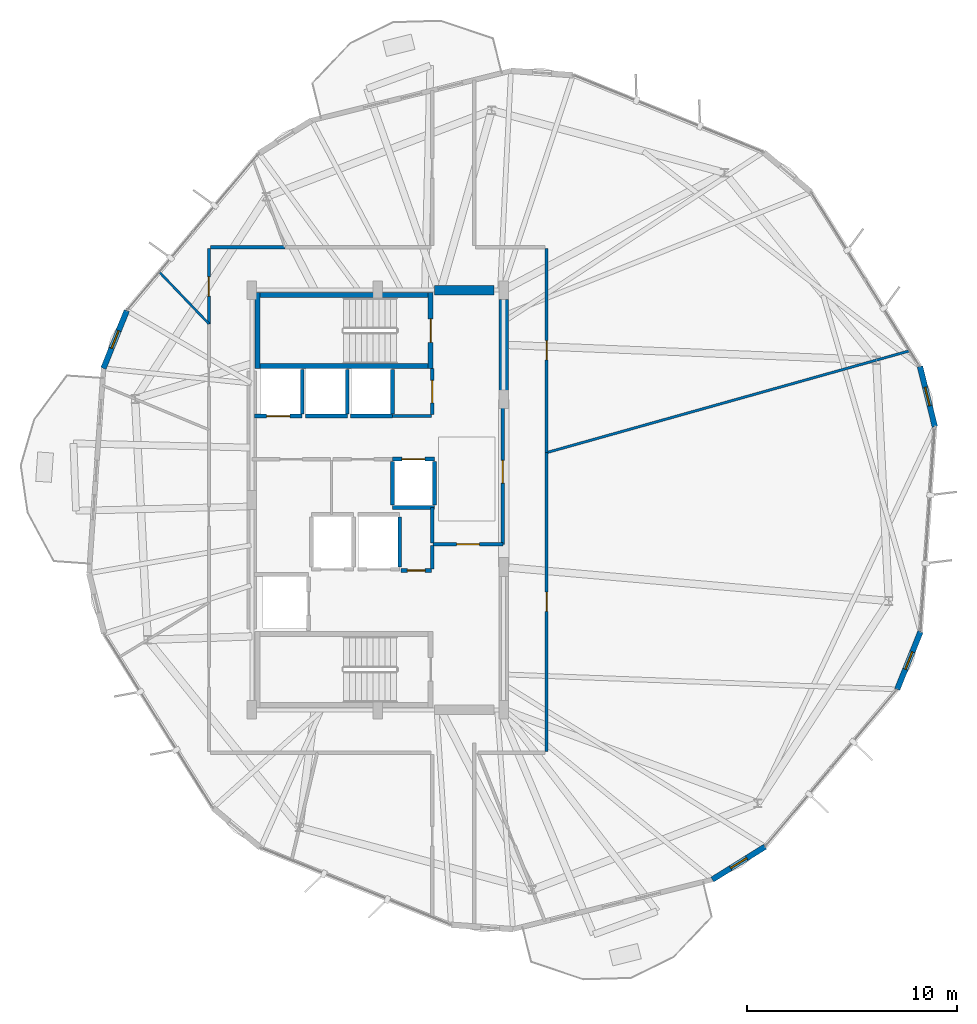
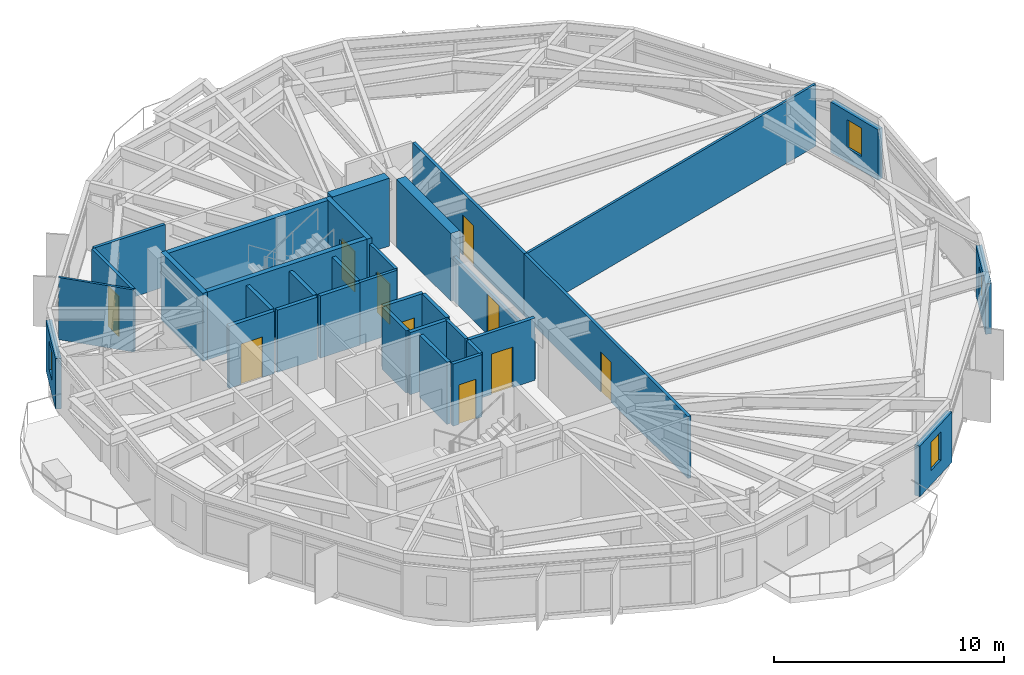
# One storey, part 19 of 23: 34 walls, 10 doors, 4 windows, 14 openings.
"""IFC4 building model written with IfcOpenShell, lengths in metres."""

from ifc_helpers import new_model, si_unit, direction, frame, frame_2d, origin, place, context, subcontext, project, spatial, rectangle, extrude, material, layer, layer_set, type_object, element, fill, save


model = new_model("IFC4")

# Units and contexts
model_context = context("Model", 3, precision=1e-05, world=origin(), true_north=direction((0.0, 1.0)))
body_context = subcontext(model_context, "Body", "Model", "MODEL_VIEW")
ifc_project = project(units=[si_unit("LENGTHUNIT", "METRE"), si_unit("AREAUNIT", "SQUARE_METRE"), si_unit("VOLUMEUNIT", "CUBIC_METRE"), si_unit("PLANEANGLEUNIT", "RADIAN"), si_unit("MASSUNIT", "GRAM", prefix="KILO")], contexts=[model_context])

# Site, building, storey
site_placement = place(None, origin())
site = spatial("IfcSite", under=ifc_project, at=site_placement, CompositionType="ELEMENT")
building_placement = place(site_placement, origin())
building = spatial("IfcBuilding", under=site, at=building_placement, Name="Soratama Intermodal Tower", CompositionType="ELEMENT")
storey_placement = place(building_placement, frame((0.0, 0.0, 215.800048828125)))
storey = spatial("IfcBuildingStorey", under=building, at=storey_placement, Name="L54", CompositionType="ELEMENT", Elevation=215.800048828125)

# Wall, opening, window
ifc_material_1 = material(Name="Concrete f'c 42 MPa", Category="concrete")
ifc_layer_1 = layer(ifc_material_1, 0.27001953125)
ifc_layer_set_1 = layer_set([ifc_layer_1], Name="Concrete f'c 42 MPa")
wall_type_1 = type_object("IfcWallType", Name="EW-CRN-270", PredefinedType="SOLIDWALL", material=ifc_layer_set_1)
wall_1_placement = place(storey_placement, frame((26.638427734375, 34.02587890625, 0.0), z_axis=(0.0, 0.0, 1.0), x_axis=(-0.374963762446, -0.927039468875, 0.0)))
wall_1 = element("IfcWall", 1, at=wall_1_placement, inside=storey, type_object=wall_type_1, Name="L54 Corner Closure Wall 03", PredefinedType="SOLIDWALL", context=body_context, shape_type="SweptSolid", body=[
    extrude(rectangle(XDim=2.966552734375, YDim=0.27001953125, at=frame_2d((1.4833984375, 0.0))), origin(), (0.0, 0.0, 1.0), 2.678955078125),
])
opening_1_placement = place(wall_1_placement, frame((1.033203125, 0.0, 0.75)))
opening_1 = element("IfcOpeningElement", 2, at=opening_1_placement, cuts=wall_1, Name="Opening WN-6", PredefinedType="OPENING", context=body_context, shape_type="SweptSolid", body=[
    extrude(rectangle(XDim=0.89990234375, YDim=1.5, at=frame_2d((0.449951171875, 0.75))), frame((0.0, 0.14501953125, 0.0), z_axis=(0.0, -1.0, 0.0), x_axis=(1.0, 0.0, 0.0)), (0.0, 0.0, 1.0), 0.2900390625),
])
ifc_material_2 = material(Name="Double-glazed aluminium window", Category="aluminium")
window_type = type_object("IfcWindowType", Name="WN-FAC-900", PartitioningType="SINGLE_PANEL", PredefinedType="WINDOW", material=ifc_material_2)
window_1_placement = place(opening_1_placement, origin())
window_1 = element("IfcWindow", 3, at=window_1_placement, inside=storey, type_object=window_type, Name="L54 Corner Window 03", OverallHeight=1.5, OverallWidth=0.89990234375, PartitioningType="SINGLE_PANEL", PredefinedType="WINDOW", context=body_context, shape_type="SweptSolid", body=[
    extrude(rectangle(XDim=0.89990234375, YDim=1.5, at=frame_2d((0.449951171875, 0.75))), frame((0.0, 0.030029296875, 0.0), z_axis=(0.0, -1.0, 0.0), x_axis=(1.0, 0.0, 0.0)), (0.0, 0.0, 1.0), 0.06005859375),
])
fill(opening_1, window_1)

wall_2_placement = place(storey_placement, frame((54.549560546875, 6.905029296875, 0.0), z_axis=(0.0, 0.0, 1.0), x_axis=(0.848215528767, 0.529651221805, 0.0)))
wall_2 = element("IfcWall", 4, at=wall_2_placement, inside=storey, type_object=wall_type_1, Name="L54 Corner Closure Wall 07", PredefinedType="SOLIDWALL", context=body_context, shape_type="SweptSolid", body=[
    extrude(rectangle(XDim=2.966552734375, YDim=0.27001953125, at=frame_2d((1.4833984375, 0.0))), origin(), (0.0, 0.0, 1.0), 2.678955078125),
])
opening_2_placement = place(wall_2_placement, frame((1.033203125, 0.0, 0.75)))
opening_2 = element("IfcOpeningElement", 5, at=opening_2_placement, cuts=wall_2, Name="Opening WN-6", PredefinedType="OPENING", context=body_context, shape_type="SweptSolid", body=[
    extrude(rectangle(XDim=0.89990234375, YDim=1.5, at=frame_2d((0.449951171875, 0.75))), frame((0.0, 0.14501953125, 0.0), z_axis=(0.0, -1.0, 0.0), x_axis=(1.0, 0.0, 0.0)), (0.0, 0.0, 1.0), 0.2900390625),
])
window_2_placement = place(opening_2_placement, origin())
window_2 = element("IfcWindow", 6, at=window_2_placement, inside=storey, type_object=window_type, Name="L54 Corner Window 07", OverallHeight=1.5, OverallWidth=0.89990234375, PartitioningType="SINGLE_PANEL", PredefinedType="WINDOW", context=body_context, shape_type="SweptSolid", body=[
    extrude(rectangle(XDim=0.89990234375, YDim=1.5, at=frame_2d((0.449951171875, 0.75))), frame((0.0, 0.030029296875, 0.0), z_axis=(0.0, -1.0, 0.0), x_axis=(1.0, 0.0, 0.0)), (0.0, 0.0, 1.0), 0.06005859375),
])
fill(opening_2, window_2)

wall_3_placement = place(storey_placement, frame((63.361572265625, 15.97412109375, 0.0), z_axis=(0.0, 0.0, 1.0), x_axis=(0.374963762446, 0.927039468875, 0.0)))
wall_3 = element("IfcWall", 7, at=wall_3_placement, inside=storey, type_object=wall_type_1, Name="L54 Corner Closure Wall 08", PredefinedType="SOLIDWALL", context=body_context, shape_type="SweptSolid", body=[
    extrude(rectangle(XDim=2.966552734375, YDim=0.27001953125, at=frame_2d((1.4833984375, 0.0))), origin(), (0.0, 0.0, 1.0), 2.678955078125),
])
opening_3_placement = place(wall_3_placement, frame((1.033203125, 0.0, 0.75)))
opening_3 = element("IfcOpeningElement", 8, at=opening_3_placement, cuts=wall_3, Name="Opening WN-6", PredefinedType="OPENING", context=body_context, shape_type="SweptSolid", body=[
    extrude(rectangle(XDim=0.89990234375, YDim=1.5, at=frame_2d((0.449951171875, 0.75))), frame((0.0, 0.14501953125, 0.0), z_axis=(0.0, -1.0, 0.0), x_axis=(1.0, 0.0, 0.0)), (0.0, 0.0, 1.0), 0.2900390625),
])
window_3_placement = place(opening_3_placement, origin())
window_3 = element("IfcWindow", 9, at=window_3_placement, inside=storey, type_object=window_type, Name="L54 Corner Window 08", OverallHeight=1.5, OverallWidth=0.89990234375, PartitioningType="SINGLE_PANEL", PredefinedType="WINDOW", context=body_context, shape_type="SweptSolid", body=[
    extrude(rectangle(XDim=0.89990234375, YDim=1.5, at=frame_2d((0.449951171875, 0.75))), frame((0.0, 0.030029296875, 0.0), z_axis=(0.0, -1.0, 0.0), x_axis=(1.0, 0.0, 0.0)), (0.0, 0.0, 1.0), 0.06005859375),
])
fill(opening_3, window_3)

wall_4_placement = place(storey_placement, frame((65.160400390625, 28.490478515625, 0.0), z_axis=(0.0, 0.0, 1.0), x_axis=(-0.241625404989, 0.970369601577, 0.0)))
wall_4 = element("IfcWall", 10, at=wall_4_placement, inside=storey, type_object=wall_type_1, Name="L54 Corner Closure Wall 09", PredefinedType="SOLIDWALL", context=body_context, shape_type="SweptSolid", body=[
    extrude(rectangle(XDim=2.966552734375, YDim=0.27001953125, at=frame_2d((1.4833984375, 0.0))), origin(), (0.0, 0.0, 1.0), 2.678955078125),
])
opening_4_placement = place(wall_4_placement, frame((1.033203125, 0.0, 0.75)))
opening_4 = element("IfcOpeningElement", 11, at=opening_4_placement, cuts=wall_4, Name="Opening WN-6", PredefinedType="OPENING", context=body_context, shape_type="SweptSolid", body=[
    extrude(rectangle(XDim=0.89990234375, YDim=1.5, at=frame_2d((0.449951171875, 0.75))), frame((0.0, 0.14501953125, 0.0), z_axis=(0.0, -1.0, 0.0), x_axis=(1.0, 0.0, 0.0)), (0.0, 0.0, 1.0), 0.2900390625),
])
window_4_placement = place(opening_4_placement, origin())
window_4 = element("IfcWindow", 12, at=window_4_placement, inside=storey, type_object=window_type, Name="L54 Corner Window 09", OverallHeight=1.5, OverallWidth=0.89990234375, PartitioningType="SINGLE_PANEL", PredefinedType="WINDOW", context=body_context, shape_type="SweptSolid", body=[
    extrude(rectangle(XDim=0.89990234375, YDim=1.5, at=frame_2d((0.449951171875, 0.75))), frame((0.0, 0.030029296875, 0.0), z_axis=(0.0, -1.0, 0.0), x_axis=(1.0, 0.0, 0.0)), (0.0, 0.0, 1.0), 0.06005859375),
])
fill(opening_4, window_4)

# Wall, opening, door
ifc_material_3 = material(Name="Fire-rated gypsum stud partition", Category="concrete")
ifc_layer_2 = layer(ifc_material_3, 0.14990234375)
ifc_layer_set_2 = layer_set([ifc_layer_2], Name="Fire-rated gypsum stud partition")
wall_type_2 = type_object("IfcWallType", Name="IW-PART-R150", PredefinedType="PARTITIONING", material=ifc_layer_set_2)
wall_5_placement = place(storey_placement, frame((46.64990234375, 27.258056640625, 0.0), z_axis=(0.0, 0.0, 1.0), x_axis=(0.0, -1.0, 0.0)))
wall_5 = element("IfcWall", 13, at=wall_5_placement, inside=storey, type_object=wall_type_2, Name="L54 Partition W-L54-TP002", PredefinedType="PARTITIONING", context=body_context, shape_type="SweptSolid", body=[
    extrude(rectangle(XDim=14.238037109375, YDim=0.14990234375, at=frame_2d((7.119140625, 0.0))), origin(), (0.0, 0.0, 1.0), 3.300048828125),
])
opening_5_placement = place(wall_5_placement, frame((6.64404296875, 0.0, 0.0)))
opening_5 = element("IfcOpeningElement", 14, at=opening_5_placement, cuts=wall_5, Name="Opening ID-6", PredefinedType="OPENING", context=body_context, shape_type="SweptSolid", body=[
    extrude(rectangle(XDim=0.919921875, YDim=2.1201171875, at=frame_2d((0.4599609375, 1.06005859375))), frame((0.0, 0.0849609375, 0.0), z_axis=(0.0, -1.0, 0.0), x_axis=(1.0, 0.0, 0.0)), (0.0, 0.0, 1.0), 0.169921875),
])
ifc_material_4 = material(Name="Solid hardwood acoustic door", Category="wood")
door_type_1 = type_object("IfcDoorType", Name="DR-ROOM-920", OperationType="NOTDEFINED", PredefinedType="DOOR", material=ifc_material_4)
door_1_placement = place(opening_5_placement, origin())
door_1 = element("IfcDoor", 15, at=door_1_placement, inside=storey, type_object=door_type_1, Name="L54 Door D-L54-TP001", OperationType="SINGLE_SWING_RIGHT", OverallHeight=2.1201171875, OverallWidth=0.919921875, PredefinedType="DOOR", context=body_context, shape_type="SweptSolid", body=[
    extrude(rectangle(XDim=0.919921875, YDim=2.1201171875, at=frame_2d((0.4599609375, 1.06005859375))), frame((0.0, 0.02490234375, 0.0), z_axis=(0.0, -1.0, 0.0), x_axis=(1.0, 0.0, 0.0)), (0.0, 0.0, 1.0), 0.050048828125),
])
fill(opening_5, door_1)

wall_6_placement = place(storey_placement, frame((46.64990234375, 36.97998046875, 0.0), z_axis=(0.0, 0.0, 1.0), x_axis=(0.0, -1.0, 0.0)))
wall_6 = element("IfcWall", 16, at=wall_6_placement, inside=storey, type_object=wall_type_2, Name="L54 Partition W-L54-TP003", PredefinedType="PARTITIONING", context=body_context, shape_type="SweptSolid", body=[
    extrude(rectangle(XDim=9.721923828125, YDim=0.14990234375, at=frame_2d((4.86083984375, 0.0))), origin(), (0.0, 0.0, 1.0), 3.300048828125),
])
opening_6_placement = place(wall_6_placement, frame((4.385986328125, 0.0, 0.0)))
opening_6 = element("IfcOpeningElement", 17, at=opening_6_placement, cuts=wall_6, Name="Opening ID-6", PredefinedType="OPENING", context=body_context, shape_type="SweptSolid", body=[
    extrude(rectangle(XDim=0.919921875, YDim=2.1201171875, at=frame_2d((0.4599609375, 1.06005859375))), frame((0.0, 0.0849609375, 0.0), z_axis=(0.0, -1.0, 0.0), x_axis=(1.0, 0.0, 0.0)), (0.0, 0.0, 1.0), 0.169921875),
])
door_2_placement = place(opening_6_placement, origin())
door_2 = element("IfcDoor", 18, at=door_2_placement, inside=storey, type_object=door_type_1, Name="L54 Door D-L54-TP002", OperationType="SINGLE_SWING_LEFT", OverallHeight=2.1201171875, OverallWidth=0.919921875, PredefinedType="DOOR", context=body_context, shape_type="SweptSolid", body=[
    extrude(rectangle(XDim=0.919921875, YDim=2.1201171875, at=frame_2d((0.4599609375, 1.06005859375))), frame((0.0, 0.02490234375, 0.0), z_axis=(0.0, -1.0, 0.0), x_axis=(1.0, 0.0, 0.0)), (0.0, 0.0, 1.0), 0.050048828125),
])
fill(opening_6, door_2)

wall_7_placement = place(storey_placement, frame((44.56005859375, 29.800048828125, 0.0), z_axis=(0.0, 0.0, 1.0), x_axis=(0.0, -1.0, 0.0)))
wall_7 = element("IfcWall", 19, at=wall_7_placement, inside=storey, type_object=wall_type_2, Name="L54 Partition W-L54-TP011", PredefinedType="PARTITIONING", context=body_context, shape_type="SweptSolid", body=[
    extrude(rectangle(XDim=6.91015625, YDim=0.14990234375, at=frame_2d((3.455078125, 0.0))), origin(), (0.0, 0.0, 1.0), 2.33984375),
])
opening_7_placement = place(wall_7_placement, frame((2.9150390625, 0.0, 0.0)))
opening_7 = element("IfcOpeningElement", 20, at=opening_7_placement, cuts=wall_7, Name="Opening ID-1", PredefinedType="OPENING", context=body_context, shape_type="SweptSolid", body=[
    extrude(rectangle(XDim=1.080078125, YDim=2.14990234375, at=frame_2d((0.5400390625, 1.074951171875))), frame((0.0, 0.0849609375, 0.0), z_axis=(0.0, -1.0, 0.0), x_axis=(1.0, 0.0, 0.0)), (0.0, 0.0, 1.0), 0.169921875),
])
ifc_material_5 = material(Name="Solid hardwood acoustic door", Category="wood")
door_type_2 = type_object("IfcDoorType", Name="DR-LOB-FD60", OperationType="NOTDEFINED", PredefinedType="DOOR", material=ifc_material_5)
door_3_placement = place(opening_7_placement, origin())
door_3 = element("IfcDoor", 21, at=door_3_placement, inside=storey, type_object=door_type_2, Name="L54 Door D-L54-TP007", OperationType="SINGLE_SWING_RIGHT", OverallHeight=2.14990234375, OverallWidth=1.080078125, PredefinedType="DOOR", context=body_context, shape_type="SweptSolid", body=[
    extrude(rectangle(XDim=1.080078125, YDim=2.14990234375, at=frame_2d((0.5400390625, 1.074951171875))), frame((0.0, 0.02490234375, 0.0), z_axis=(0.0, -1.0, 0.0), x_axis=(1.0, 0.0, 0.0)), (0.0, 0.0, 1.0), 0.050048828125),
])
fill(opening_7, door_3)

wall_8_placement = place(storey_placement, frame((30.550048828125, 33.40087890625, 0.0), z_axis=(0.0, 0.0, 1.0), x_axis=(0.0, 1.0, 0.0)))
wall_8 = element("IfcWall", 22, at=wall_8_placement, inside=storey, type_object=wall_type_2, Name="L54 Partition W-L54-TP020", PredefinedType="PARTITIONING", context=body_context, shape_type="SweptSolid", body=[
    extrude(rectangle(XDim=3.5791015625, YDim=0.14990234375, at=frame_2d((1.78955078125, 0.0))), origin(), (0.0, 0.0, 1.0), 3.300048828125),
])
opening_8_placement = place(wall_8_placement, frame((1.31396484375, 0.0, 0.0)))
opening_8 = element("IfcOpeningElement", 23, at=opening_8_placement, cuts=wall_8, Name="Opening ID-6", PredefinedType="OPENING", context=body_context, shape_type="SweptSolid", body=[
    extrude(rectangle(XDim=0.919921875, YDim=2.1201171875, at=frame_2d((0.4599609375, 1.06005859375))), frame((0.0, 0.0849609375, 0.0), z_axis=(0.0, -1.0, 0.0), x_axis=(1.0, 0.0, 0.0)), (0.0, 0.0, 1.0), 0.169921875),
])
door_4_placement = place(opening_8_placement, origin())
door_4 = element("IfcDoor", 24, at=door_4_placement, inside=storey, type_object=door_type_1, Name="L54 Door D-L54-TP010", OperationType="SINGLE_SWING_LEFT", OverallHeight=2.1201171875, OverallWidth=0.919921875, PredefinedType="DOOR", context=body_context, shape_type="SweptSolid", body=[
    extrude(rectangle(XDim=0.919921875, YDim=2.1201171875, at=frame_2d((0.4599609375, 1.06005859375))), frame((0.0, 0.02490234375, 0.0), z_axis=(0.0, -1.0, 0.0), x_axis=(1.0, 0.0, 0.0)), (0.0, 0.0, 1.0), 0.050048828125),
])
fill(opening_8, door_4)

# Wall
wall_9_placement = place(storey_placement, frame((30.6201171875, 37.050048828125, 0.0), z_axis=(0.0, 0.0, 1.0), x_axis=(1.0, 0.0, 0.0)))
element("IfcWall", 25, at=wall_9_placement, inside=storey, type_object=wall_type_2, Name="L54 Partition W-L54-TP021", PredefinedType="PARTITIONING", context=body_context, shape_type="SweptSolid", body=[
    extrude(rectangle(XDim=3.556884765625, YDim=0.14990234375, at=frame_2d((1.7783203125, 0.0))), origin(), (0.0, 0.0, 1.0), 3.300048828125),
])

# Wall, opening, door
wall_10_placement = place(storey_placement, frame((41.199951171875, 29.070068359375, 0.0), z_axis=(0.0, 0.0, 1.0), x_axis=(0.0, 1.0, 0.0)))
wall_10 = element("IfcWall", 26, at=wall_10_placement, inside=storey, type_object=wall_type_2, Name="L54 Partition W-L54-TP028", PredefinedType="PARTITIONING", context=body_context, shape_type="SweptSolid", body=[
    extrude(rectangle(XDim=2.18994140625, YDim=0.14990234375, at=frame_2d((1.094970703125, 0.0))), origin(), (0.0, 0.0, 1.0), 3.300048828125),
])
opening_9_placement = place(wall_10_placement, frame((0.554931640625, 0.0, 0.0)))
opening_9 = element("IfcOpeningElement", 27, at=opening_9_placement, cuts=wall_10, Name="Opening ID-1", PredefinedType="OPENING", context=body_context, shape_type="SweptSolid", body=[
    extrude(rectangle(XDim=1.080078125, YDim=2.14990234375, at=frame_2d((0.5400390625, 1.074951171875))), frame((0.0, 0.0849609375, 0.0), z_axis=(0.0, -1.0, 0.0), x_axis=(1.0, 0.0, 0.0)), (0.0, 0.0, 1.0), 0.169921875),
])
door_5_placement = place(opening_9_placement, origin())
door_5 = element("IfcDoor", 28, at=door_5_placement, inside=storey, type_object=door_type_2, Name="L54 Door D-L54-TP013", OperationType="SINGLE_SWING_RIGHT", OverallHeight=2.14990234375, OverallWidth=1.080078125, PredefinedType="DOOR", context=body_context, shape_type="SweptSolid", body=[
    extrude(rectangle(XDim=1.080078125, YDim=2.14990234375, at=frame_2d((0.5400390625, 1.074951171875))), frame((0.0, 0.02490234375, 0.0), z_axis=(0.0, -1.0, 0.0), x_axis=(1.0, 0.0, 0.0)), (0.0, 0.0, 1.0), 0.050048828125),
])
fill(opening_9, door_5)

# Walls
wall_11_placement = place(storey_placement, frame((39.300048828125, 29.010009765625, 0.0), z_axis=(0.0, 0.0, 1.0), x_axis=(1.0, 0.0, 0.0)))
element("IfcWall", 29, at=wall_11_placement, inside=storey, type_object=wall_type_2, Name="L54 Partition W-L54-TP029", PredefinedType="PARTITIONING", context=body_context, shape_type="SweptSolid", body=[
    extrude(rectangle(XDim=1.85986328125, YDim=0.14990234375, at=frame_2d((0.929931640625, 0.0))), origin(), (0.0, 0.0, 1.0), 3.300048828125),
])
wall_12_placement = place(storey_placement, frame((41.199951171875, 22.9599609375, 0.0), z_axis=(0.0, 0.0, 1.0), x_axis=(0.0, 1.0, 0.0)))
element("IfcWall", 30, at=wall_12_placement, inside=storey, type_object=wall_type_2, Name="L54 Partition W-L54-TP030", PredefinedType="PARTITIONING", context=body_context, shape_type="SweptSolid", body=[
    extrude(rectangle(XDim=1.68994140625, YDim=0.14990234375, at=frame_2d((0.844970703125, 0.0))), origin(), (0.0, 0.0, 1.0), 3.300048828125),
])

# Wall, opening, door
ifc_material_6 = material(Name="Fire-rated gypsum stud partition", Category="concrete")
ifc_layer_3 = layer(ifc_material_6, 0.169921875)
ifc_layer_set_3 = layer_set([ifc_layer_3], Name="Fire-rated gypsum stud partition")
wall_type_3 = type_object("IfcWallType", Name="IW-PART-R170", PredefinedType="PARTITIONING", material=ifc_layer_set_3)
wall_13_placement = place(storey_placement, frame((41.239990234375, 22.889892578125, 0.0), z_axis=(0.0, 0.0, 1.0), x_axis=(1.0, 0.0, 0.0)))
wall_13 = element("IfcWall", 31, at=wall_13_placement, inside=storey, type_object=wall_type_3, Name="L54 Partition W-L54-TP023", PredefinedType="PARTITIONING", context=body_context, shape_type="SweptSolid", body=[
    extrude(rectangle(XDim=3.320068359375, YDim=0.169921875, at=frame_2d((1.66015625, 0.0))), origin(), (0.0, 0.0, 1.0), 3.300048828125),
])
opening_10_placement = place(wall_13_placement, frame((1.1201171875, 0.0, 0.0)))
opening_10 = element("IfcOpeningElement", 32, at=opening_10_placement, cuts=wall_13, Name="Opening ID-0", PredefinedType="OPENING", context=body_context, shape_type="SweptSolid", body=[
    extrude(rectangle(XDim=1.080078125, YDim=2.14990234375, at=frame_2d((0.5400390625, 1.074951171875))), frame((0.0, 0.094970703125, 0.0), z_axis=(0.0, -1.0, 0.0), x_axis=(1.0, 0.0, 0.0)), (0.0, 0.0, 1.0), 0.18994140625),
])
ifc_material_7 = material(Name="Solid hardwood acoustic door", Category="wood")
door_type_3 = type_object("IfcDoorType", Name="DR-LOB-FD90", OperationType="NOTDEFINED", PredefinedType="DOOR", material=ifc_material_7)
door_6_placement = place(opening_10_placement, origin())
door_6 = element("IfcDoor", 33, at=door_6_placement, inside=storey, type_object=door_type_3, Name="L54 Door D-L54-TP011", OperationType="SINGLE_SWING_RIGHT", OverallHeight=2.14990234375, OverallWidth=1.080078125, PredefinedType="DOOR", context=body_context, shape_type="SweptSolid", body=[
    extrude(rectangle(XDim=1.080078125, YDim=2.14990234375, at=frame_2d((0.5400390625, 1.074951171875))), frame((0.0, 0.02490234375, 0.0), z_axis=(0.0, -1.0, 0.0), x_axis=(1.0, 0.0, 0.0)), (0.0, 0.0, 1.0), 0.050048828125),
])
fill(opening_10, door_6)

wall_14_placement = place(storey_placement, frame((39.719970703125, 21.639892578125, 0.0), z_axis=(0.0, 0.0, 1.0), x_axis=(1.0, 0.0, 0.0)))
wall_14 = element("IfcWall", 34, at=wall_14_placement, inside=storey, type_object=wall_type_3, Name="L54 Partition W-L54-TP031", PredefinedType="PARTITIONING", context=body_context, shape_type="SweptSolid", body=[
    extrude(rectangle(XDim=1.43994140625, YDim=0.169921875, at=frame_2d((0.719970703125, 0.0))), origin(), (0.0, 0.0, 1.0), 3.300048828125),
])
opening_11_placement = place(wall_14_placement, frame((0.294921875, 0.0, 0.0)))
opening_11 = element("IfcOpeningElement", 35, at=opening_11_placement, cuts=wall_14, Name="Opening ID-4", PredefinedType="OPENING", context=body_context, shape_type="SweptSolid", body=[
    extrude(rectangle(XDim=0.85009765625, YDim=2.10009765625, at=frame_2d((0.425048828125, 1.050048828125))), frame((0.0, 0.094970703125, 0.0), z_axis=(0.0, -1.0, 0.0), x_axis=(1.0, 0.0, 0.0)), (0.0, 0.0, 1.0), 0.18994140625),
])
ifc_material_8 = material(Name="Solid hardwood acoustic door", Category="wood")
door_type_4 = type_object("IfcDoorType", Name="DR-BATH-850", OperationType="NOTDEFINED", PredefinedType="DOOR", material=ifc_material_8)
door_7_placement = place(opening_11_placement, origin())
door_7 = element("IfcDoor", 36, at=door_7_placement, inside=storey, type_object=door_type_4, Name="L54 Door D-L54-TP014", OperationType="SINGLE_SWING_LEFT", OverallHeight=2.10009765625, OverallWidth=0.85009765625, PredefinedType="DOOR", context=body_context, shape_type="SweptSolid", body=[
    extrude(rectangle(XDim=0.85009765625, YDim=2.10009765625, at=frame_2d((0.425048828125, 1.050048828125))), frame((0.0, 0.02490234375, 0.0), z_axis=(0.0, -1.0, 0.0), x_axis=(1.0, 0.0, 0.0)), (0.0, 0.0, 1.0), 0.050048828125),
])
fill(opening_11, door_7)

# Walls
wall_15_placement = place(storey_placement, frame((41.199951171875, 21.699951171875, 0.0), z_axis=(0.0, 0.0, 1.0), x_axis=(0.0, 1.0, 0.0)))
element("IfcWall", 37, at=wall_15_placement, inside=storey, type_object=wall_type_3, Name="L54 Partition W-L54-TP032", PredefinedType="PARTITIONING", context=body_context, shape_type="SweptSolid", body=[
    extrude(rectangle(XDim=1.1201171875, YDim=0.169921875, at=frame_2d((0.56005859375, 0.0))), origin(), (0.0, 0.0, 1.0), 3.300048828125),
])
ifc_material_9 = material(Name="Fire-rated gypsum stud partition", Category="concrete")
ifc_layer_4 = layer(ifc_material_9, 0.110107421875)
ifc_layer_set_4 = layer_set([ifc_layer_4], Name="Fire-rated gypsum stud partition")
wall_type_4 = type_object("IfcWallType", Name="IW-PART-S110", PredefinedType="PARTITIONING", material=ifc_layer_set_4)
wall_16_placement = place(storey_placement, frame((30.550048828125, 33.40087890625, 0.0), z_axis=(0.0, 0.0, 1.0), x_axis=(-0.691726910598, 0.722159179928, 0.0)))
element("IfcWall", 38, at=wall_16_placement, inside=storey, type_object=wall_type_4, Name="L54 Partition W-L54-TP022", PredefinedType="PARTITIONING", context=body_context, shape_type="SweptSolid", body=[
    extrude(rectangle(XDim=3.41748046875, YDim=0.110107421875, at=frame_2d((1.708740234375, 0.0))), origin(), (0.0, 0.0, 1.0), 3.300048828125),
])
ifc_material_10 = material(Name="Fire-rated gypsum stud partition", Category="concrete")
ifc_layer_5 = layer(ifc_material_10, 0.1201171875)
ifc_layer_set_5 = layer_set([ifc_layer_5], Name="Fire-rated gypsum stud partition")
wall_type_5 = type_object("IfcWallType", Name="IW-PART-S120", PredefinedType="PARTITIONING", material=ifc_layer_set_5)
wall_17_placement = place(storey_placement, frame((63.97607421875, 32.117919921875, 0.0), z_axis=(0.0, 0.0, 1.0), x_axis=(-0.962840767266, -0.270069725978, 0.0)))
element("IfcWall", 39, at=wall_17_placement, inside=storey, type_object=wall_type_5, Name="L54 Partition W-L54-TP001", PredefinedType="PARTITIONING", context=body_context, shape_type="SweptSolid", body=[
    extrude(rectangle(XDim=17.994873046875, YDim=0.1201171875, at=frame_2d((8.99755859375, 0.0))), origin(), (0.0, 0.0, 1.0), 3.300048828125),
])
ifc_material_11 = material(Name="Concrete f'c 42 MPa", Category="concrete")
ifc_layer_6 = layer(ifc_material_11, 0.18505859375)
ifc_layer_set_6 = layer_set([ifc_layer_6], Name="Concrete f'c 42 MPa")
wall_type_6 = type_object("IfcWallType", Name="IW-SHAFT-185", PredefinedType="SOLIDWALL", material=ifc_layer_set_6)
wall_18_placement = place(storey_placement, frame((39.64990234375, 21.81005859375, 0.0), z_axis=(0.0, 0.0, 1.0), x_axis=(0.0, 1.0, 0.0)))
element("IfcWall", 40, at=wall_18_placement, inside=storey, type_object=wall_type_6, Name="L54 FFL-2 Hoistway Wall E", PredefinedType="SOLIDWALL", context=body_context, shape_type="SweptSolid", body=[
    extrude(rectangle(XDim=2.3798828125, YDim=0.18505859375, at=frame_2d((1.18994140625, 0.0))), origin(), (0.0, 0.0, 1.0), 3.300048828125),
])
wall_19_placement = place(storey_placement, frame((39.300048828125, 24.64990234375, 0.0), z_axis=(0.0, 0.0, 1.0), x_axis=(1.0, 0.0, 0.0)))
element("IfcWall", 41, at=wall_19_placement, inside=storey, type_object=wall_type_6, Name="L54 PL-M1 Hoistway Wall S", PredefinedType="SOLIDWALL", context=body_context, shape_type="SweptSolid", body=[
    extrude(rectangle(XDim=2.0, YDim=0.18505859375, at=frame_2d((1.0, 0.0))), origin(), (0.0, 0.0, 1.0), 3.300048828125),
])

# Wall, opening, door
wall_20_placement = place(storey_placement, frame((39.300048828125, 26.949951171875, 0.0), z_axis=(0.0, 0.0, 1.0), x_axis=(1.0, 0.0, 0.0)))
wall_20 = element("IfcWall", 42, at=wall_20_placement, inside=storey, type_object=wall_type_6, Name="L54 PL-M1 Hoistway Wall N", PredefinedType="SOLIDWALL", context=body_context, shape_type="SweptSolid", body=[
    extrude(rectangle(XDim=2.0, YDim=0.18505859375, at=frame_2d((1.0, 0.0))), origin(), (0.0, 0.0, 1.0), 3.300048828125),
])
opening_12_placement = place(wall_20_placement, frame((0.449951171875, 0.0, 0.0)))
opening_12 = element("IfcOpeningElement", 43, at=opening_12_placement, cuts=wall_20, Name="Opening LD-1", PredefinedType="OPENING", context=body_context, shape_type="SweptSolid", body=[
    extrude(rectangle(XDim=1.10009765625, YDim=2.14990234375, at=frame_2d((0.550048828125, 1.074951171875))), frame((0.0, 0.1025390625, 0.0), z_axis=(0.0, -1.0, 0.0), x_axis=(1.0, 0.0, 0.0)), (0.0, 0.0, 1.0), 0.205078125),
])
ifc_material_12 = material(Name="Steel fire door", Category="steel")
door_type_5 = type_object("IfcDoorType", Name="DR-LIFT-SLIDE", OperationType="NOTDEFINED", PredefinedType="DOOR", material=ifc_material_12)
door_8_placement = place(opening_12_placement, origin())
door_8 = element("IfcDoor", 44, at=door_8_placement, inside=storey, type_object=door_type_5, Name="L54 PL-M1 Sliding Landing Door", OperationType="SLIDING_TO_LEFT", OverallHeight=2.14990234375, OverallWidth=1.10009765625, PredefinedType="DOOR", context=body_context, shape_type="SweptSolid", body=[
    extrude(rectangle(XDim=1.10009765625, YDim=2.14990234375, at=frame_2d((0.550048828125, 1.074951171875))), frame((0.0, 0.02490234375, 0.0), z_axis=(0.0, -1.0, 0.0), x_axis=(1.0, 0.0, 0.0)), (0.0, 0.0, 1.0), 0.050048828125),
])
fill(opening_12, door_8)

# Walls
for number, where, z_axis, x_axis, name in (
    (45, (39.300048828125, 24.760009765625, 0.0), (0.0, 0.0, 1.0), (0.0, 1.0, 0.0), "L54 PL-M1 Hoistway Wall W"),
    (46, (41.300048828125, 24.760009765625, 0.0), (0.0, 0.0, 1.0), (0.0, 1.0, 0.0), "L54 PL-M1 Hoistway Wall E"),
):
    element("IfcWall", number, at=place(storey_placement, frame(where, z_axis=z_axis, x_axis=x_axis)), inside=storey, type_object=wall_type_6, Name=name, PredefinedType="SOLIDWALL", context=body_context, shape_type="SweptSolid", body=[
        extrude(rectangle(XDim=2.080078125, YDim=0.18505859375, at=frame_2d((1.0400390625, 0.0))), origin(), (0.0, 0.0, 1.0), 3.300048828125),
    ])

# Wall, opening, door
wall_21_placement = place(storey_placement, frame((32.719970703125, 29.0, 0.0), z_axis=(0.0, 0.0, 1.0), x_axis=(1.0, 0.0, 0.0)))
wall_21 = element("IfcWall", 47, at=wall_21_placement, inside=storey, type_object=wall_type_6, Name="L54 PL-M2 Hoistway Wall S", PredefinedType="SOLIDWALL", context=body_context, shape_type="SweptSolid", body=[
    extrude(rectangle(XDim=2.280029296875, YDim=0.18505859375, at=frame_2d((1.14013671875, 0.0))), origin(), (0.0, 0.0, 1.0), 3.300048828125),
])
opening_13_placement = place(wall_21_placement, frame((0.590087890625, 0.0, 0.0)))
opening_13 = element("IfcOpeningElement", 48, at=opening_13_placement, cuts=wall_21, Name="Opening LD-1", PredefinedType="OPENING", context=body_context, shape_type="SweptSolid", body=[
    extrude(rectangle(XDim=1.10009765625, YDim=2.14990234375, at=frame_2d((0.550048828125, 1.074951171875))), frame((0.0, 0.1025390625, 0.0), z_axis=(0.0, -1.0, 0.0), x_axis=(1.0, 0.0, 0.0)), (0.0, 0.0, 1.0), 0.205078125),
])
door_9_placement = place(opening_13_placement, origin())
door_9 = element("IfcDoor", 49, at=door_9_placement, inside=storey, type_object=door_type_5, Name="L54 PL-M2 Sliding Landing Door", OperationType="SLIDING_TO_LEFT", OverallHeight=2.14990234375, OverallWidth=1.10009765625, PredefinedType="DOOR", context=body_context, shape_type="SweptSolid", body=[
    extrude(rectangle(XDim=1.10009765625, YDim=2.14990234375, at=frame_2d((0.550048828125, 1.074951171875))), frame((0.0, 0.02490234375, 0.0), z_axis=(0.0, -1.0, 0.0), x_axis=(1.0, 0.0, 0.0)), (0.0, 0.0, 1.0), 0.050048828125),
])
fill(opening_13, door_9)

# Walls
wall_22_placement = place(storey_placement, frame((35.0, 29.110107421875, 0.0), z_axis=(0.0, 0.0, 1.0), x_axis=(0.0, 1.0, 0.0)))
element("IfcWall", 50, at=wall_22_placement, inside=storey, type_object=wall_type_6, Name="L54 PL-M2 Hoistway Wall E", PredefinedType="SOLIDWALL", context=body_context, shape_type="SweptSolid", body=[
    extrude(rectangle(XDim=2.099853515625, YDim=0.18505859375, at=frame_2d((1.0498046875, 0.0))), origin(), (0.0, 0.0, 1.0), 3.300048828125),
])
wall_23_placement = place(storey_placement, frame((35.14990234375, 29.0, 0.0), z_axis=(0.0, 0.0, 1.0), x_axis=(1.0, 0.0, 0.0)))
element("IfcWall", 51, at=wall_23_placement, inside=storey, type_object=wall_type_6, Name="L54 PL-H1 Hoistway Wall S", PredefinedType="SOLIDWALL", context=body_context, shape_type="SweptSolid", body=[
    extrude(rectangle(XDim=2.0, YDim=0.18505859375, at=frame_2d((1.0, 0.0))), origin(), (0.0, 0.0, 1.0), 3.300048828125),
])
wall_24_placement = place(storey_placement, frame((37.14990234375, 29.110107421875, 0.0), z_axis=(0.0, 0.0, 1.0), x_axis=(0.0, 1.0, 0.0)))
element("IfcWall", 52, at=wall_24_placement, inside=storey, type_object=wall_type_6, Name="L54 PL-H1 Hoistway Wall E", PredefinedType="SOLIDWALL", context=body_context, shape_type="SweptSolid", body=[
    extrude(rectangle(XDim=2.099853515625, YDim=0.18505859375, at=frame_2d((1.0498046875, 0.0))), origin(), (0.0, 0.0, 1.0), 3.300048828125),
])
wall_25_placement = place(storey_placement, frame((37.300048828125, 29.0, 0.0), z_axis=(0.0, 0.0, 1.0), x_axis=(1.0, 0.0, 0.0)))
element("IfcWall", 53, at=wall_25_placement, inside=storey, type_object=wall_type_6, Name="L54 PL-H2 Hoistway Wall S", PredefinedType="SOLIDWALL", context=body_context, shape_type="SweptSolid", body=[
    extrude(rectangle(XDim=2.0, YDim=0.18505859375, at=frame_2d((1.0, 0.0))), origin(), (0.0, 0.0, 1.0), 3.300048828125),
])
wall_26_placement = place(storey_placement, frame((39.300048828125, 29.110107421875, 0.0), z_axis=(0.0, 0.0, 1.0), x_axis=(0.0, 1.0, 0.0)))
element("IfcWall", 54, at=wall_26_placement, inside=storey, type_object=wall_type_6, Name="L54 PL-H2 Hoistway Wall E", PredefinedType="SOLIDWALL", context=body_context, shape_type="SweptSolid", body=[
    extrude(rectangle(XDim=2.099853515625, YDim=0.18505859375, at=frame_2d((1.0498046875, 0.0))), origin(), (0.0, 0.0, 1.0), 3.300048828125),
])
ifc_material_13 = material(Name="Concrete f'c 56 MPa", Category="concrete")
ifc_layer_7 = layer(ifc_material_13, 0.449951171875)
ifc_layer_set_7 = layer_set([ifc_layer_7], Name="Concrete f'c 56 MPa")
wall_type_7 = type_object("IfcWallType", Name="SW-CORE-450", PredefinedType="SHEAR", material=ifc_layer_set_7)
wall_27_placement = place(storey_placement, frame((41.300048828125, 35.0, 0.0), z_axis=(0.0, 0.0, 1.0), x_axis=(1.0, 0.0, 0.0)))
element("IfcWall", 55, at=wall_27_placement, inside=storey, type_object=wall_type_7, Name="L54 Core Shear Wall CW-NE", PredefinedType="SHEAR", context=body_context, shape_type="SweptSolid", body=[
    extrude(rectangle(XDim=2.849853515625, YDim=0.449951171875, at=frame_2d((1.4248046875, 0.0))), origin(), (0.0, 0.0, 1.0), 3.599853515625),
])
wall_28_placement = place(storey_placement, frame((44.60009765625, 29.800048828125, 0.0), z_axis=(0.0, 0.0, 1.0), x_axis=(0.0, 1.0, 0.0)))
element("IfcWall", 56, at=wall_28_placement, inside=storey, type_object=wall_type_7, Name="L54 Core Shear Wall CW-EN", PredefinedType="SHEAR", context=body_context, shape_type="SweptSolid", body=[
    extrude(rectangle(XDim=4.75, YDim=0.449951171875, at=frame_2d((2.375, 0.0))), origin(), (0.0, 0.0, 1.0), 3.599853515625),
])
ifc_material_14 = material(Name="Concrete f'c 56 MPa", Category="concrete")
ifc_layer_8 = layer(ifc_material_14, 0.239990234375)
ifc_layer_set_8 = layer_set([ifc_layer_8], Name="Concrete f'c 56 MPa")
wall_type_8 = type_object("IfcWallType", Name="SW-STAIR-240", PredefinedType="SHEAR", material=ifc_layer_set_8)
wall_29_placement = place(storey_placement, frame((32.8798828125, 31.260009765625, 0.0), z_axis=(0.0, 0.0, 1.0), x_axis=(0.0, 1.0, 0.0)))
element("IfcWall", 57, at=wall_29_placement, inside=storey, type_object=wall_type_8, Name="L54 ST-2 Shaft Shear Wall W", PredefinedType="SHEAR", context=body_context, shape_type="SweptSolid", body=[
    extrude(rectangle(XDim=3.6298828125, YDim=0.239990234375, at=frame_2d((1.81494140625, 0.0))), origin(), (0.0, 0.0, 1.0), 3.599853515625),
])

# Wall, opening, door
wall_30_placement = place(storey_placement, frame((41.1201171875, 31.260009765625, 0.0), z_axis=(0.0, 0.0, 1.0), x_axis=(0.0, 1.0, 0.0)))
wall_30 = element("IfcWall", 58, at=wall_30_placement, inside=storey, type_object=wall_type_8, Name="L54 ST-2 Shaft Shear Wall E", PredefinedType="SHEAR", context=body_context, shape_type="SweptSolid", body=[
    extrude(rectangle(XDim=3.6298828125, YDim=0.239990234375, at=frame_2d((1.81494140625, 0.0))), origin(), (0.0, 0.0, 1.0), 3.599853515625),
])
opening_14_placement = place(wall_30_placement, frame((1.2548828125, 0.0, 0.0)))
opening_14 = element("IfcOpeningElement", 59, at=opening_14_placement, cuts=wall_30, Name="Opening SD-1", PredefinedType="OPENING", context=body_context, shape_type="SweptSolid", body=[
    extrude(rectangle(XDim=1.1201171875, YDim=2.14990234375, at=frame_2d((0.56005859375, 1.074951171875))), frame((0.0, 0.1298828125, 0.0), z_axis=(0.0, -1.0, 0.0), x_axis=(1.0, 0.0, 0.0)), (0.0, 0.0, 1.0), 0.260009765625),
])
ifc_material_15 = material(Name="Steel fire door", Category="steel")
door_type_6 = type_object("IfcDoorType", Name="DR-STAIR-FD90", OperationType="NOTDEFINED", PredefinedType="DOOR", material=ifc_material_15)
door_10_placement = place(opening_14_placement, origin())
door_10 = element("IfcDoor", 60, at=door_10_placement, inside=storey, type_object=door_type_6, Name="L54 ST-2 Exit Stair Door", OperationType="SINGLE_SWING_RIGHT", OverallHeight=2.14990234375, OverallWidth=1.1201171875, PredefinedType="DOOR", context=body_context, shape_type="SweptSolid", body=[
    extrude(rectangle(XDim=1.1201171875, YDim=2.14990234375, at=frame_2d((0.56005859375, 1.074951171875))), frame((0.0, 0.02490234375, 0.0), z_axis=(0.0, -1.0, 0.0), x_axis=(1.0, 0.0, 0.0)), (0.0, 0.0, 1.0), 0.050048828125),
])
fill(opening_14, door_10)

# Walls
for number, where, z_axis, x_axis, name in (
    (61, (33.0, 31.3798828125, 0.0), (0.0, 0.0, 1.0), (1.0, 0.0, 0.0), "L54 ST-2 Shaft Shear Wall S"),
    (62, (33.0, 34.77001953125, 0.0), (0.0, 0.0, 1.0), (1.0, 0.0, 0.0), "L54 ST-2 Shaft Shear Wall N"),
):
    element("IfcWall", number, at=place(storey_placement, frame(where, z_axis=z_axis, x_axis=x_axis)), inside=storey, type_object=wall_type_8, Name=name, PredefinedType="SHEAR", context=body_context, shape_type="SweptSolid", body=[
        extrude(rectangle(XDim=8.0, YDim=0.239990234375, at=frame_2d((4.0, 0.0))), origin(), (0.0, 0.0, 1.0), 3.599853515625),
    ])

save(model, "model.ifc")
